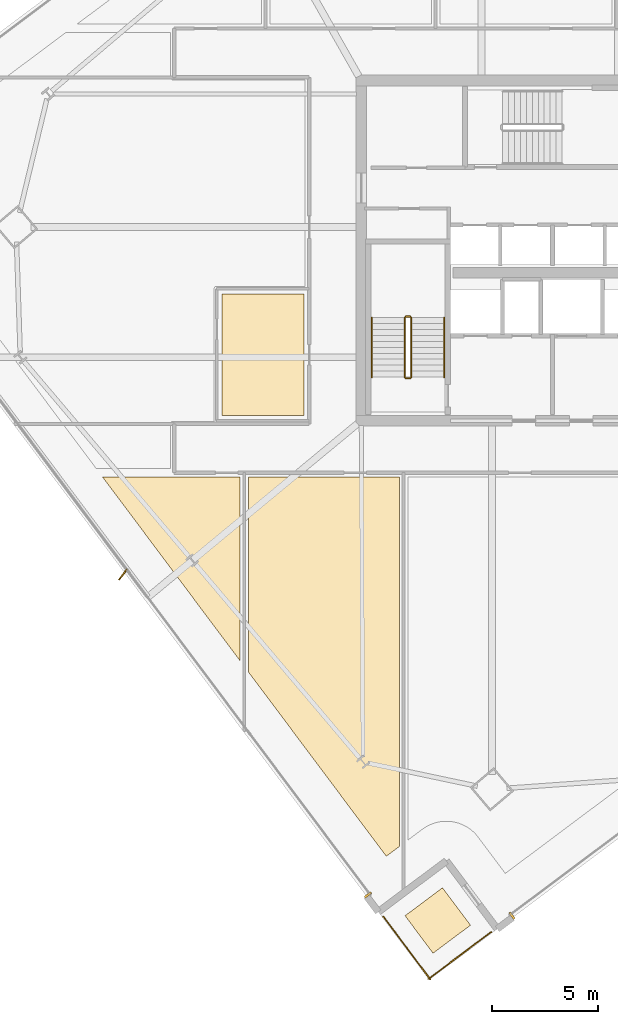
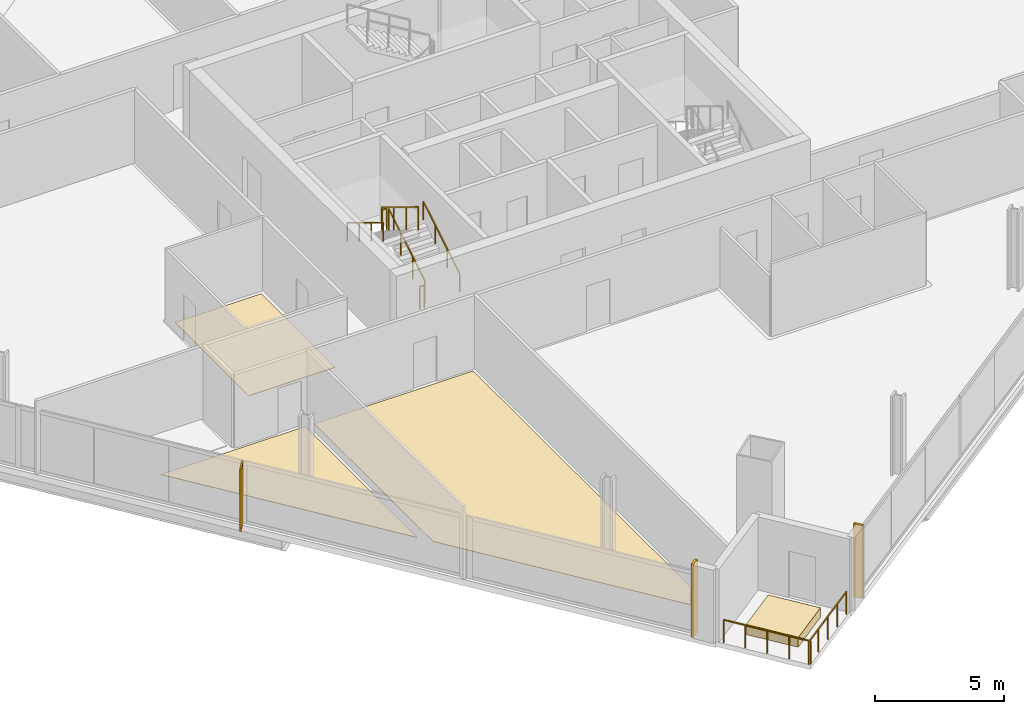
# One storey, part 28 of 32: 8 railings, 6 coverings, 1 shading device.
"""IFC4 building model written with IfcOpenShell, lengths in metres."""

from ifc_helpers import new_model, si_unit, direction, frame, origin, origin_2d, place, context, subcontext, project, spatial, polyline, rectangle, outline, extrude, source, transform, mapped, material, layer, layer_set, type_object, element, save


model = new_model("IFC4")

# Units and contexts
model_context = context("Model", 3, precision=1e-05, world=origin(), true_north=direction((0.0, 1.0)))
body_context = subcontext(model_context, "Body", "Model", "MODEL_VIEW")
ifc_project = project(units=[si_unit("LENGTHUNIT", "METRE"), si_unit("AREAUNIT", "SQUARE_METRE"), si_unit("VOLUMEUNIT", "CUBIC_METRE"), si_unit("PLANEANGLEUNIT", "RADIAN"), si_unit("MASSUNIT", "GRAM", prefix="KILO")], contexts=[model_context])

# Site, building, storey
site_placement = place(None, origin())
site = spatial("IfcSite", under=ifc_project, at=site_placement, CompositionType="ELEMENT")
building_placement = place(site_placement, origin())
building = spatial("IfcBuilding", under=site, at=building_placement, Name="Haldenkirk Collegiate Tower", CompositionType="ELEMENT")
storey_placement = place(building_placement, frame((0.0, 0.0, 151.949951171875)))
storey = spatial("IfcBuildingStorey", under=building, at=storey_placement, Name="L37", CompositionType="ELEMENT", Elevation=151.949951171875)

# Coverings
ifc_material_1 = material(Name="Polished collegiate terrazzo", Category="concrete")
ifc_layer_1 = layer(ifc_material_1, 0.02490234375)
ifc_layer_set_1 = layer_set([ifc_layer_1], Name="Polished collegiate terrazzo")
covering_type_1 = type_object("IfcCoveringType", Name="COV-FLOOR-TERRAZZO", PredefinedType="FLOORING", material=ifc_layer_set_1)
covering_1_placement = place(storey_placement, origin())
element("IfcCovering", 1, at=covering_1_placement, inside=storey, type_object=covering_type_1, Name="L37 academic room finish 02", PredefinedType="FLOORING", context=body_context, shape_type="SweptSolid", body=[
    extrude(outline(polyline([(14.831298828125, 15.35009765625), (21.300048828125, 15.35009765625), (21.300048828125, 6.703125), (14.831298828125, 15.35009765625)])), origin(), (0.0, 0.0, 1.0), 0.025146484375),
])
ifc_material_2 = material(Name="Engineered collegiate oak acoustic flooring", Category="wood")
ifc_layer_2 = layer(ifc_material_2, 0.02197265625)
ifc_layer_set_2 = layer_set([ifc_layer_2], Name="Engineered collegiate oak acoustic flooring")
covering_type_2 = type_object("IfcCoveringType", Name="COV-FLOOR-TIMBER", PredefinedType="FLOORING", material=ifc_layer_set_2)
covering_2_placement = place(storey_placement, origin())
element("IfcCovering", 2, at=covering_2_placement, inside=storey, type_object=covering_type_2, Name="L37 academic room finish 01", PredefinedType="FLOORING", context=body_context, shape_type="SweptSolid", body=[
    extrude(outline(polyline([(20.43994140625, 18.239990234375), (20.43994140625, 23.9599609375), (24.300048828125, 23.9599609375), (24.300048828125, 18.239990234375), (20.43994140625, 18.239990234375)])), origin(), (0.0, 0.0, 1.0), 0.02197265625),
])
covering_3_placement = place(storey_placement, origin())
element("IfcCovering", 3, at=covering_3_placement, inside=storey, type_object=covering_type_2, Name="L37 academic room finish 03", PredefinedType="FLOORING", context=body_context, shape_type="SweptSolid", body=[
    extrude(outline(polyline([(28.17919921875, -2.492431640625), (21.699951171875, 6.16845703125), (21.699951171875, 15.35009765625), (28.800048828125, 15.35009765625), (28.800048828125, -2.028076171875), (28.17919921875, -2.492431640625)])), origin(), (0.0, 0.0, 1.0), 0.02197265625),
])
ifc_material_3 = material(Name="Precast concrete f'c 40 MPa", Category="concrete")
ifc_layer_3 = layer(ifc_material_3, 0.449951171875)
ifc_layer_set_3 = layer_set([ifc_layer_3], Name="Precast concrete f'c 40 MPa")
covering_type_3 = type_object("IfcCoveringType", Name="COV-PLANTER-450", PredefinedType="USERDEFINED", material=ifc_layer_set_3)
covering_4_placement = place(storey_placement, origin())
element("IfcCovering", 4, at=covering_4_placement, inside=storey, type_object=covering_type_3, Name="L37 planted garden planter bed", ObjectType="PLANTER", PredefinedType="USERDEFINED", context=body_context, shape_type="SweptSolid", body=[
    extrude(outline(polyline([(30.379638671875, -7.052978515625), (29.061767578125, -5.29150390625), (30.823486328125, -3.9736328125), (32.141357421875, -5.7353515625), (30.379638671875, -7.052978515625)])), origin(), (0.0, 0.0, 1.0), 0.449951171875),
])

# Railings
ifc_material_4 = material(Name="Painted architectural tubular steel", Category="steel")
railing_type_1 = type_object("IfcRailingType", Name="RLG-STAIR-GUARD-1100", PredefinedType="BALUSTRADE", material=ifc_material_4)
railing_1_placement = place(storey_placement, frame((29.35009765625, 20.050048828125, 0.17041015625)))
element("IfcRailing", 5, at=railing_1_placement, inside=storey, type_object=railing_type_1, Name="L37 ST-1 stair guard 1", PredefinedType="BALUSTRADE", context=body_context, shape_type="SweptSolid", body=[
    extrude(rectangle(XDim=0.048095703125, YDim=0.048095703125, at=origin_2d()), frame((0.0, 0.0, 1.076171875), z_axis=(0.0, 0.854169791009, 0.51999420009), x_axis=(-1.0, 0.0, 0.0)), (0.0, 0.0, 1.0), 3.278076171875),
    extrude(rectangle(XDim=0.0419921875, YDim=0.0419921875, at=origin_2d()), origin(), (0.0, 0.0, 1.0), 1.052001953125),
    extrude(rectangle(XDim=0.0419921875, YDim=0.0419921875, at=origin_2d()), frame((0.0, 0.933349609375, 0.568115234375)), (0.0, 0.0, 1.0), 1.052001953125),
    extrude(rectangle(XDim=0.0419921875, YDim=0.0419921875, at=origin_2d()), frame((0.0, 1.86669921875, 1.136474609375)), (0.0, 0.0, 1.0), 1.052001953125),
    extrude(rectangle(XDim=0.0419921875, YDim=0.0419921875, at=origin_2d()), frame((0.0, 2.800048828125, 1.70458984375)), (0.0, 0.0, 1.0), 1.052001953125),
])
railing_2_placement = place(storey_placement, frame((29.300048828125, 22.89990234375, 1.875)))
element("IfcRailing", 6, at=railing_2_placement, inside=storey, type_object=railing_type_1, Name="L37 ST-1 stair guard 2", PredefinedType="BALUSTRADE", context=body_context, shape_type="SweptSolid", body=[
    extrude(rectangle(XDim=0.048095703125, YDim=0.048095703125, at=origin_2d()), frame((0.0, 0.0, 1.076171875), z_axis=(-1.0, 0.0, 0.0), x_axis=(0.0, -1.0, 0.0)), (0.0, 0.0, 1.0), 0.199951171875),
    extrude(rectangle(XDim=0.0419921875, YDim=0.0419921875, at=origin_2d()), origin(), (0.0, 0.0, 1.0), 1.052001953125),
    extrude(rectangle(XDim=0.0419921875, YDim=0.0419921875, at=origin_2d()), frame((-0.199951171875, 0.0, 0.0)), (0.0, 0.0, 1.0), 1.052001953125),
])
railing_3_placement = place(storey_placement, frame((29.050048828125, 22.85009765625, 2.04541015625)))
element("IfcRailing", 7, at=railing_3_placement, inside=storey, type_object=railing_type_1, Name="L37 ST-1 stair guard 3", PredefinedType="BALUSTRADE", context=body_context, shape_type="SweptSolid", body=[
    extrude(rectangle(XDim=0.048095703125, YDim=0.048095703125, at=origin_2d()), frame((0.0, 0.0, 1.076171875), z_axis=(0.0, -0.854169791009, 0.51999420009), x_axis=(1.0, 0.0, 0.0)), (0.0, 0.0, 1.0), 3.278076171875),
    extrude(rectangle(XDim=0.0419921875, YDim=0.0419921875, at=origin_2d()), origin(), (0.0, 0.0, 1.0), 1.052001953125),
    extrude(rectangle(XDim=0.0419921875, YDim=0.0419921875, at=origin_2d()), frame((0.0, -0.933349609375, 0.568115234375)), (0.0, 0.0, 1.0), 1.052001953125),
    extrude(rectangle(XDim=0.0419921875, YDim=0.0419921875, at=origin_2d()), frame((0.0, -1.86669921875, 1.136474609375)), (0.0, 0.0, 1.0), 1.052001953125),
    extrude(rectangle(XDim=0.0419921875, YDim=0.0419921875, at=origin_2d()), frame((0.0, -2.800048828125, 1.70458984375)), (0.0, 0.0, 1.0), 1.052001953125),
])
railing_4_placement = place(storey_placement, frame((29.300048828125, 20.0, 0.0)))
element("IfcRailing", 8, at=railing_4_placement, inside=storey, type_object=railing_type_1, Name="L37 ST-1 stair guard 4", PredefinedType="BALUSTRADE", context=body_context, shape_type="SweptSolid", body=[
    extrude(rectangle(XDim=0.048095703125, YDim=0.048095703125, at=origin_2d()), frame((0.0, 0.0, 1.076171875), z_axis=(-1.0, 0.0, 0.0), x_axis=(0.0, -1.0, 0.0)), (0.0, 0.0, 1.0), 0.199951171875),
    extrude(rectangle(XDim=0.0419921875, YDim=0.0419921875, at=origin_2d()), origin(), (0.0, 0.0, 1.0), 1.052001953125),
    extrude(rectangle(XDim=0.0419921875, YDim=0.0419921875, at=origin_2d()), frame((-0.199951171875, 0.0, 0.0)), (0.0, 0.0, 1.0), 1.052001953125),
])
railing_type_2 = type_object("IfcRailingType", Name="RLG-STAIR-HANDRAIL-900", PredefinedType="HANDRAIL", material=ifc_material_4)
railing_5_placement = place(storey_placement, frame((30.89990234375, 20.050048828125, 0.17041015625)))
element("IfcRailing", 9, at=railing_5_placement, inside=storey, type_object=railing_type_2, Name="L37 ST-1 stair handrail 1", PredefinedType="HANDRAIL", context=body_context, shape_type="SweptSolid", body=[
    extrude(rectangle(XDim=0.048095703125, YDim=0.048095703125, at=origin_2d()), frame((0.0, 0.0, 0.8759765625), z_axis=(0.0, 0.854169791009, 0.51999420009), x_axis=(-1.0, 0.0, 0.0)), (0.0, 0.0, 1.0), 3.278076171875),
    extrude(rectangle(XDim=0.0419921875, YDim=0.0419921875, at=origin_2d()), origin(), (0.0, 0.0, 1.0), 0.851806640625),
    extrude(rectangle(XDim=0.0419921875, YDim=0.0419921875, at=origin_2d()), frame((0.0, 0.933349609375, 0.568115234375)), (0.0, 0.0, 1.0), 0.851806640625),
    extrude(rectangle(XDim=0.0419921875, YDim=0.0419921875, at=origin_2d()), frame((0.0, 1.86669921875, 1.136474609375)), (0.0, 0.0, 1.0), 0.851806640625),
    extrude(rectangle(XDim=0.0419921875, YDim=0.0419921875, at=origin_2d()), frame((0.0, 2.800048828125, 1.70458984375)), (0.0, 0.0, 1.0), 0.851806640625),
])
railing_6_placement = place(storey_placement, frame((27.5, 22.85009765625, 2.04541015625)))
element("IfcRailing", 10, at=railing_6_placement, inside=storey, type_object=railing_type_2, Name="L37 ST-1 stair handrail 2", PredefinedType="HANDRAIL", context=body_context, shape_type="SweptSolid", body=[
    extrude(rectangle(XDim=0.048095703125, YDim=0.048095703125, at=origin_2d()), frame((0.0, 0.0, 0.8759765625), z_axis=(0.0, -0.854169791009, 0.51999420009), x_axis=(1.0, 0.0, 0.0)), (0.0, 0.0, 1.0), 3.278076171875),
    extrude(rectangle(XDim=0.0419921875, YDim=0.0419921875, at=origin_2d()), origin(), (0.0, 0.0, 1.0), 0.851806640625),
    extrude(rectangle(XDim=0.0419921875, YDim=0.0419921875, at=origin_2d()), frame((0.0, -0.933349609375, 0.568115234375)), (0.0, 0.0, 1.0), 0.851806640625),
    extrude(rectangle(XDim=0.0419921875, YDim=0.0419921875, at=origin_2d()), frame((0.0, -1.86669921875, 1.136474609375)), (0.0, 0.0, 1.0), 0.851806640625),
    extrude(rectangle(XDim=0.0419921875, YDim=0.0419921875, at=origin_2d()), frame((0.0, -2.800048828125, 1.70458984375)), (0.0, 0.0, 1.0), 0.851806640625),
])
ifc_material_5 = material(Name="Anodised architectural bronze aluminium", Category="aluminium")
railing_type_3 = type_object("IfcRailingType", Name="RLG-TERR-BALUSTRADE-1100", PredefinedType="BALUSTRADE", material=ifc_material_5)
railing_7_placement = place(storey_placement, frame((30.162109375, -8.264892578125, 0.0)))
element("IfcRailing", 11, at=railing_7_placement, inside=storey, type_object=railing_type_3, Name="L37 terrace guard balustrade 1-1", PredefinedType="BALUSTRADE", context=body_context, shape_type="SweptSolid", body=[
    extrude(rectangle(XDim=0.048095703125, YDim=0.048095703125, at=origin_2d()), frame((0.0, 0.0, 1.076171875), z_axis=(0.800747715317, 0.599001749926, 0.0), x_axis=(-0.599001749926, 0.800747715317, 0.0)), (0.0, 0.0, 1.0), 3.679931640625),
    extrude(rectangle(XDim=0.0419921875, YDim=0.0419921875, at=origin_2d()), origin(), (0.0, 0.0, 1.0), 1.052001953125),
    extrude(rectangle(XDim=0.0419921875, YDim=0.0419921875, at=origin_2d()), frame((0.73681640625, 0.551025390625, 0.0)), (0.0, 0.0, 1.0), 1.052001953125),
    extrude(rectangle(XDim=0.0419921875, YDim=0.0419921875, at=origin_2d()), frame((1.473388671875, 1.10205078125, 0.0)), (0.0, 0.0, 1.0), 1.052001953125),
    extrude(rectangle(XDim=0.0419921875, YDim=0.0419921875, at=origin_2d()), frame((2.2099609375, 1.6533203125, 0.0)), (0.0, 0.0, 1.0), 1.052001953125),
    extrude(rectangle(XDim=0.0419921875, YDim=0.0419921875, at=origin_2d()), frame((2.94677734375, 2.204345703125, 0.0)), (0.0, 0.0, 1.0), 1.052001953125),
])
railing_8_placement = place(storey_placement, frame((28.041748046875, -5.330322265625, 0.0)))
element("IfcRailing", 12, at=railing_8_placement, inside=storey, type_object=railing_type_3, Name="L37 terrace guard balustrade 4-1", PredefinedType="BALUSTRADE", context=body_context, shape_type="SweptSolid", body=[
    extrude(rectangle(XDim=0.048095703125, YDim=0.048095703125, at=origin_2d()), frame((0.0, 0.0, 1.076171875), z_axis=(0.599001749926, -0.800747715317, 0.0), x_axis=(0.800747715317, 0.599001749926, 0.0)), (0.0, 0.0, 1.0), 3.679931640625),
    extrude(rectangle(XDim=0.0419921875, YDim=0.0419921875, at=origin_2d()), origin(), (0.0, 0.0, 1.0), 1.052001953125),
    extrude(rectangle(XDim=0.0419921875, YDim=0.0419921875, at=origin_2d()), frame((0.551025390625, -0.73681640625, 0.0)), (0.0, 0.0, 1.0), 1.052001953125),
    extrude(rectangle(XDim=0.0419921875, YDim=0.0419921875, at=origin_2d()), frame((1.10205078125, -1.473388671875, 0.0)), (0.0, 0.0, 1.0), 1.052001953125),
    extrude(rectangle(XDim=0.0419921875, YDim=0.0419921875, at=origin_2d()), frame((1.6533203125, -2.2099609375, 0.0)), (0.0, 0.0, 1.0), 1.052001953125),
    extrude(rectangle(XDim=0.0419921875, YDim=0.0419921875, at=origin_2d()), frame((2.204345703125, -2.94677734375, 0.0)), (0.0, 0.0, 1.0), 1.052001953125),
])

# Coverings
ifc_layer_4 = layer(ifc_material_5, 0.06005859375)
ifc_layer_set_4 = layer_set([ifc_layer_4], Name="Anodised architectural bronze aluminium")
covering_type_4 = type_object("IfcCoveringType", Name="COV-CLAD-BRONZE-60", PredefinedType="CLADDING", material=ifc_layer_set_4)
shared_shape_1 = source(origin(), body_context, "Body", "SweptSolid", [
    extrude(rectangle(XDim=0.10009765625, YDim=0.3798828125, at=origin_2d()), origin(), (0.0, 0.0, 1.0), 3.4599609375),
])
for number, where, z_axis, x_axis, name in (
    (13, (34.091796875, -5.287841796875, 0.0), (0.0, 0.0, 1.0), (-0.800731370949, -0.599023598516, 0.0), "L37 recessed curtain-wall bronze jamb closure SJR"),
    (14, (27.31689453125, -4.311279296875, 0.0), (0.0, 0.0, 1.0), (-0.599023598516, 0.800731370949, 0.0), "L37 recessed curtain-wall bronze jamb closure WJL"),
):
    element("IfcCovering", number, at=place(storey_placement, frame(where, z_axis=z_axis, x_axis=x_axis)), inside=storey, type_object=covering_type_4, Name=name, PredefinedType="CLADDING", context=body_context, shape_type="MappedRepresentation", body=[
        mapped(shared_shape_1, transform((0.0, 0.0, 0.0), x_axis=(1.0, 0.0, 0.0), y_axis=(0.0, 1.0, 0.0), z_axis=(0.0, 0.0, 1.0), scale=1.0)),
    ])

# Shading device
ifc_layer_5 = layer(ifc_material_5, 0.06494140625)
ifc_layer_set_5 = layer_set([ifc_layer_5], Name="Anodised architectural bronze aluminium")
shading_device_type = type_object("IfcShadingDeviceType", Name="SHD-FIN-BRONZE-620", PredefinedType="USERDEFINED", material=ifc_layer_set_5)
shared_shape_2 = source(origin(), body_context, "Body", "SweptSolid", [
    extrude(rectangle(XDim=0.6201171875, YDim=0.06494140625, at=origin_2d()), origin(), (0.0, 0.0, 1.0), 2.910888671875),
])
shading_device_placement = place(storey_placement, frame((15.789306640625, 10.755615234375, 0.0), z_axis=(0.0, 0.0, 1.0), x_axis=(-0.604599114862, -0.796529918024, 0.0)))
element("IfcShadingDevice", 15, at=shading_device_placement, inside=storey, type_object=shading_device_type, Name="L37 folded bronze solar fin 1", ObjectType="FIN", PredefinedType="USERDEFINED", context=body_context, shape_type="MappedRepresentation", body=[
    mapped(shared_shape_2, transform((0.0, 0.0, 0.0), x_axis=(1.0, 0.0, 0.0), y_axis=(0.0, 1.0, 0.0), z_axis=(0.0, 0.0, 1.0), scale=1.0)),
])

save(model, "model.ifc")
